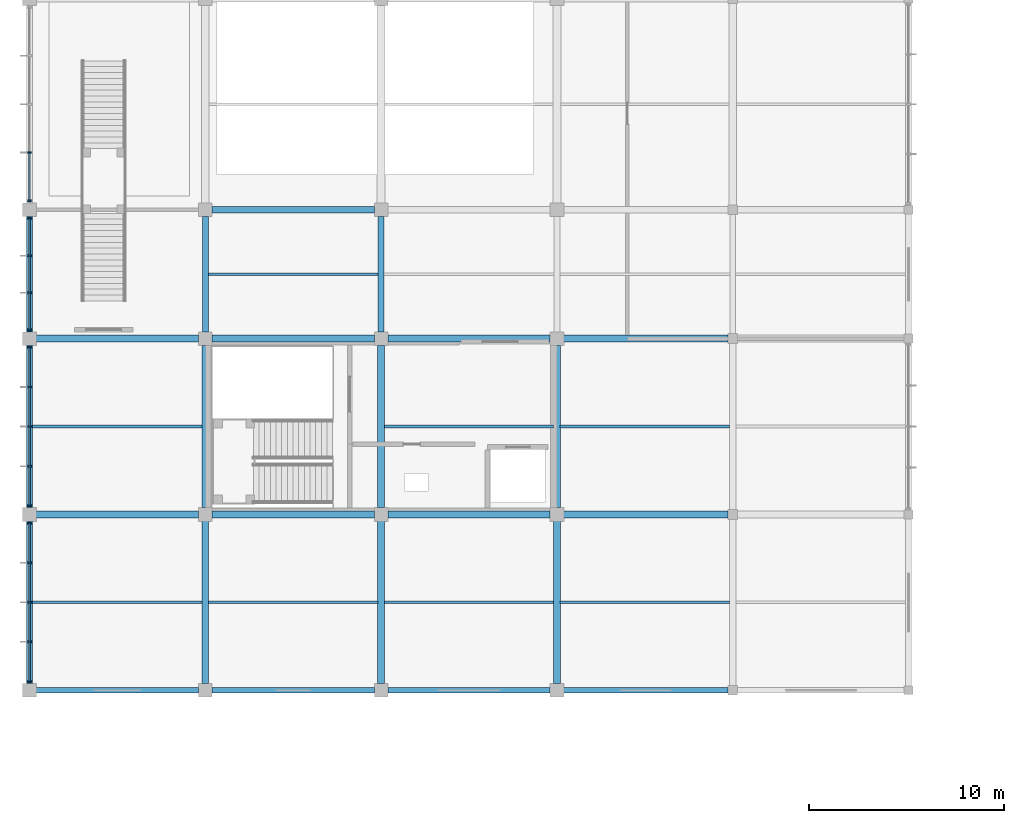
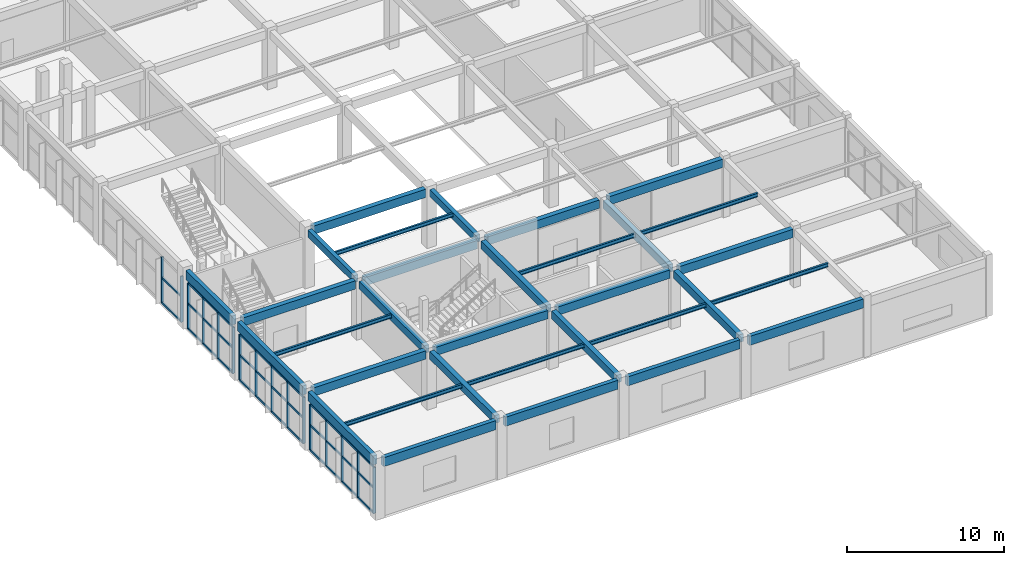
# One storey, part 13 of 74: 43 members, 32 beams, 4 elements without a shape of their own.
"""IFC4 building model written with IfcOpenShell, lengths in metres."""

from ifc_helpers import new_model, si_unit, direction, frame, origin, origin_2d, place, context, subcontext, project, spatial, rectangle, i_section, extrude, material, material_profile, profile_set, type_object, element, aggregate, save


model = new_model("IFC4")

# Units and contexts
model_context = context("Model", 3, precision=1e-05, world=origin(), true_north=direction((0.0, 1.0)))
body_context = subcontext(model_context, "Body", "Model", "MODEL_VIEW")
ifc_project = project(units=[si_unit("LENGTHUNIT", "METRE"), si_unit("AREAUNIT", "SQUARE_METRE"), si_unit("VOLUMEUNIT", "CUBIC_METRE"), si_unit("PLANEANGLEUNIT", "RADIAN"), si_unit("MASSUNIT", "GRAM", prefix="KILO")], contexts=[model_context])

# Site, building, storey
site_placement = place(None, origin())
site = spatial("IfcSite", under=ifc_project, at=site_placement, CompositionType="ELEMENT")
building_placement = place(site_placement, origin())
building = spatial("IfcBuilding", under=site, at=building_placement, Name="Suirenkawa Promenade Aquatics Centre", CompositionType="ELEMENT")
storey_placement = place(building_placement, frame((0.0, 0.0, 4.800048828125)))
storey = spatial("IfcBuildingStorey", under=building, at=storey_placement, Name="L01", CompositionType="ELEMENT", Elevation=4.800048828125)

# Beams
ifc_material_1 = material(Name="Steel IS 2062 E350 (Grade 350)", Category="steel")
ifc_material_profile_1 = material_profile(ifc_material_1, i_section(OverallWidth=0.139892578125, OverallDepth=0.300048828125, WebThickness=0.008056640625, FlangeThickness=0.012939453125, at=origin_2d()), Name="ISMB 300", Category="steel")
ifc_profile_set_1 = profile_set([ifc_material_profile_1], Name="Steel IS 2062 E350 (Grade 350)")
beam_type_1 = type_object("IfcBeamType", Name="BT-JOIST-ISMB300", PredefinedType="JOIST", material=ifc_profile_set_1)
for number, where, z_axis, x_axis, name in (
    (1, (0.14404296875, 8.699951171875, 4.387939453125), (1.0, 0.0, 0.0), (0.0, 1.0, 0.0), "Secondary floor joist JS-02 BM-0522"),
    (2, (0.14404296875, 17.699951171875, 4.387939453125), (1.0, 0.0, 0.0), (0.0, 1.0, 0.0), "Secondary floor joist JS-02 BM-0523"),
):
    element("IfcBeam", number, at=place(storey_placement, frame(where, z_axis=z_axis, x_axis=x_axis)), inside=storey, type_object=beam_type_1, Name=name, PredefinedType="JOIST", context=body_context, shape_type="SweptSolid", body=[
        extrude(i_section(OverallWidth=0.139892578125, OverallDepth=0.300048828125, WebThickness=0.008056640625, FlangeThickness=0.012939453125, at=origin_2d()), origin(), (0.0, 0.0, 1.0), 8.68701171875),
    ])
beam_1_placement = place(storey_placement, frame((9.1689453125, 8.699951171875, 4.387939453125), z_axis=(1.0, 0.0, 0.0), x_axis=(0.0, 1.0, 0.0)))
element("IfcBeam", 3, at=beam_1_placement, inside=storey, type_object=beam_type_1, Name="Secondary floor joist JS-02 BM-0532", PredefinedType="JOIST", context=body_context, shape_type="SweptSolid", body=[
    extrude(i_section(OverallWidth=0.139892578125, OverallDepth=0.300048828125, WebThickness=0.008056640625, FlangeThickness=0.012939453125, at=origin_2d()), origin(), (0.0, 0.0, 1.0), 8.662109375),
])
beam_2_placement = place(storey_placement, frame((9.14404296875, 25.5, 4.387939453125), z_axis=(1.0, 0.0, 0.0), x_axis=(0.0, 1.0, 0.0)))
element("IfcBeam", 4, at=beam_2_placement, inside=storey, type_object=beam_type_1, Name="Secondary floor joist JS-02 BM-0533", PredefinedType="JOIST", context=body_context, shape_type="SweptSolid", body=[
    extrude(i_section(OverallWidth=0.139892578125, OverallDepth=0.300048828125, WebThickness=0.008056640625, FlangeThickness=0.012939453125, at=origin_2d()), origin(), (0.0, 0.0, 1.0), 8.7119140625),
])
for number, where, z_axis, x_axis, name in (
    (5, (18.1689453125, 8.699951171875, 4.387939453125), (1.0, 0.0, 0.0), (0.0, 1.0, 0.0), "Secondary floor joist JS-02 BM-0542"),
    (6, (18.1689453125, 17.699951171875, 4.387939453125), (1.0, 0.0, 0.0), (0.0, 1.0, 0.0), "Secondary floor joist JS-02 BM-0543"),
    (7, (27.1689453125, 8.699951171875, 4.387939453125), (1.0, 0.0, 0.0), (0.0, 1.0, 0.0), "Secondary floor joist JS-02 BM-0554"),
    (8, (27.1689453125, 17.699951171875, 4.387939453125), (1.0, 0.0, 0.0), (0.0, 1.0, 0.0), "Secondary floor joist JS-02 BM-0555"),
):
    element("IfcBeam", number, at=place(storey_placement, frame(where, z_axis=z_axis, x_axis=x_axis)), inside=storey, type_object=beam_type_1, Name=name, PredefinedType="JOIST", context=body_context, shape_type="SweptSolid", body=[
        extrude(i_section(OverallWidth=0.139892578125, OverallDepth=0.300048828125, WebThickness=0.008056640625, FlangeThickness=0.012939453125, at=origin_2d()), origin(), (0.0, 0.0, 1.0), 8.662109375),
    ])
ifc_material_2 = material(Name="Concrete M35", Category="concrete")
ifc_material_profile_2 = material_profile(ifc_material_2, rectangle(XDim=0.300048828125, YDim=0.550048828125, at=origin_2d()), Name="RC BM 300x550", Category="concrete")
ifc_profile_set_2 = profile_set([ifc_material_profile_2], Name="Concrete M35")
beam_type_2 = type_object("IfcBeamType", Name="BT-RC-300x550", PredefinedType="BEAM", material=ifc_profile_set_2)
for number, where, z_axis, x_axis, name in (
    (9, (9.0, 22.5439453125, 4.264892578125), (0.0, 1.0, 0.0), (-1.0, 0.0, 0.0), "Floor beam BM-01 BM-0464"),
    (10, (18.0, 22.5439453125, 4.264892578125), (0.0, 1.0, 0.0), (-1.0, 0.0, 0.0), "Floor beam BM-01 BM-0476"),
):
    element("IfcBeam", number, at=place(storey_placement, frame(where, z_axis=z_axis, x_axis=x_axis)), inside=storey, type_object=beam_type_2, Name=name, PredefinedType="BEAM", context=body_context, shape_type="SweptSolid", body=[
        extrude(rectangle(XDim=0.300048828125, YDim=0.550048828125, at=origin_2d()), origin(), (0.0, 0.0, 1.0), 5.912109375),
    ])
ifc_material_profile_3 = material_profile(ifc_material_2, rectangle(XDim=0.35009765625, YDim=0.60009765625, at=origin_2d()), Name="RC BM 350x600", Category="concrete")
ifc_profile_set_3 = profile_set([ifc_material_profile_3], Name="Concrete M35")
beam_type_3 = type_object("IfcBeamType", Name="BT-RC-350x600", PredefinedType="BEAM", material=ifc_profile_set_3)
for number, where, z_axis, x_axis, name in (
    (11, (9.0, 4.5439453125, 4.239990234375), (0.0, 1.0, 0.0), (-1.0, 0.0, 0.0), "Floor beam BM-02 BM-0462"),
    (12, (9.0, 13.5439453125, 4.239990234375), (0.0, 1.0, 0.0), (-1.0, 0.0, 0.0), "Floor beam BM-02 BM-0463"),
    (13, (18.0, 4.5439453125, 4.239990234375), (0.0, 1.0, 0.0), (-1.0, 0.0, 0.0), "Floor beam BM-02 BM-0474"),
    (14, (18.0, 13.5439453125, 4.239990234375), (0.0, 1.0, 0.0), (-1.0, 0.0, 0.0), "Floor beam BM-02 BM-0475"),
    (15, (27.0, 4.5439453125, 4.239990234375), (0.0, 1.0, 0.0), (-1.0, 0.0, 0.0), "Floor beam BM-02 BM-0486"),
    (16, (27.0, 13.5439453125, 4.239990234375), (0.0, 1.0, 0.0), (-1.0, 0.0, 0.0), "Floor beam BM-02 BM-0487"),
):
    element("IfcBeam", number, at=place(storey_placement, frame(where, z_axis=z_axis, x_axis=x_axis)), inside=storey, type_object=beam_type_3, Name=name, PredefinedType="BEAM", context=body_context, shape_type="SweptSolid", body=[
        extrude(rectangle(XDim=0.35009765625, YDim=0.60009765625, at=origin_2d()), origin(), (0.0, 0.0, 1.0), 8.31201171875),
    ])
ifc_material_profile_4 = material_profile(ifc_material_2, rectangle(XDim=0.35009765625, YDim=0.64990234375, at=origin_2d()), Name="RC BM 350x650", Category="concrete")
ifc_profile_set_4 = profile_set([ifc_material_profile_4], Name="Concrete M35")
beam_type_4 = type_object("IfcBeamType", Name="BT-RC-350x650", PredefinedType="BEAM", material=ifc_profile_set_4)
for number, where, z_axis, x_axis, name in (
    (17, (0.343994140625, 13.199951171875, 4.21484375), (1.0, 0.0, 0.0), (0.0, 1.0, 0.0), "Floor beam BM-03 BM-0391"),
    (18, (9.343994140625, 13.199951171875, 4.21484375), (1.0, 0.0, 0.0), (0.0, 1.0, 0.0), "Floor beam BM-03 BM-0392"),
    (19, (18.343994140625, 13.199951171875, 4.21484375), (1.0, 0.0, 0.0), (0.0, 1.0, 0.0), "Floor beam BM-03 BM-0393"),
):
    element("IfcBeam", number, at=place(storey_placement, frame(where, z_axis=z_axis, x_axis=x_axis)), inside=storey, type_object=beam_type_4, Name=name, PredefinedType="BEAM", context=body_context, shape_type="SweptSolid", body=[
        extrude(rectangle(XDim=0.35009765625, YDim=0.64990234375, at=origin_2d()), origin(), (0.0, 0.0, 1.0), 8.31201171875),
    ])
beam_3_placement = place(storey_placement, frame((27.343994140625, 13.199951171875, 4.21484375), z_axis=(1.0, 0.0, 0.0), x_axis=(0.0, 1.0, 0.0)))
element("IfcBeam", 20, at=beam_3_placement, inside=storey, type_object=beam_type_4, Name="Floor beam BM-03 BM-0394", PredefinedType="BEAM", context=body_context, shape_type="SweptSolid", body=[
    extrude(rectangle(XDim=0.35009765625, YDim=0.64990234375, at=origin_2d()), origin(), (0.0, 0.0, 1.0), 8.412109375),
])
for number, where, z_axis, x_axis, name in (
    (21, (0.343994140625, 22.199951171875, 4.21484375), (1.0, 0.0, 0.0), (0.0, 1.0, 0.0), "Floor beam BM-03 BM-0396"),
    (22, (9.343994140625, 22.199951171875, 4.21484375), (1.0, 0.0, 0.0), (0.0, 1.0, 0.0), "Floor beam BM-03 BM-0397"),
    (23, (18.343994140625, 22.199951171875, 4.21484375), (1.0, 0.0, 0.0), (0.0, 1.0, 0.0), "Floor beam BM-03 BM-0398"),
):
    element("IfcBeam", number, at=place(storey_placement, frame(where, z_axis=z_axis, x_axis=x_axis)), inside=storey, type_object=beam_type_4, Name=name, PredefinedType="BEAM", context=body_context, shape_type="SweptSolid", body=[
        extrude(rectangle(XDim=0.35009765625, YDim=0.64990234375, at=origin_2d()), origin(), (0.0, 0.0, 1.0), 8.31201171875),
    ])
beam_4_placement = place(storey_placement, frame((27.343994140625, 22.199951171875, 4.21484375), z_axis=(1.0, 0.0, 0.0), x_axis=(0.0, 1.0, 0.0)))
element("IfcBeam", 24, at=beam_4_placement, inside=storey, type_object=beam_type_4, Name="Floor beam BM-03 BM-0399", PredefinedType="BEAM", context=body_context, shape_type="SweptSolid", body=[
    extrude(rectangle(XDim=0.35009765625, YDim=0.64990234375, at=origin_2d()), origin(), (0.0, 0.0, 1.0), 8.412109375),
])
beam_5_placement = place(storey_placement, frame((9.343994140625, 28.800048828125, 4.21484375), z_axis=(1.0, 0.0, 0.0), x_axis=(0.0, 1.0, 0.0)))
element("IfcBeam", 25, at=beam_5_placement, inside=storey, type_object=beam_type_4, Name="Floor beam BM-03 BM-0401", PredefinedType="BEAM", context=body_context, shape_type="SweptSolid", body=[
    extrude(rectangle(XDim=0.35009765625, YDim=0.64990234375, at=origin_2d()), origin(), (0.0, 0.0, 1.0), 8.31201171875),
])
ifc_material_3 = material(Name="Concrete M40", Category="concrete")
ifc_material_profile_5 = material_profile(ifc_material_3, rectangle(XDim=0.300048828125, YDim=0.699951171875, at=origin_2d()), Name="RC SPANDREL 300x700", Category="concrete")
ifc_profile_set_5 = profile_set([ifc_material_profile_5], Name="Concrete M40")
beam_type_5 = type_object("IfcBeamType", Name="BT-SPANDREL-300x700", PredefinedType="SPANDREL", material=ifc_profile_set_5)
for number, where, z_axis, x_axis, name in (
    (26, (0.343994140625, 4.199951171875, 4.18994140625), (1.0, 0.0, 0.0), (0.0, 1.0, 0.0), "Floor beam SP-01 BM-0386"),
    (27, (9.343994140625, 4.199951171875, 4.18994140625), (1.0, 0.0, 0.0), (0.0, 1.0, 0.0), "Floor beam SP-01 BM-0387"),
    (28, (18.343994140625, 4.199951171875, 4.18994140625), (1.0, 0.0, 0.0), (0.0, 1.0, 0.0), "Floor beam SP-01 BM-0388"),
):
    element("IfcBeam", number, at=place(storey_placement, frame(where, z_axis=z_axis, x_axis=x_axis)), inside=storey, type_object=beam_type_5, Name=name, PredefinedType="SPANDREL", context=body_context, shape_type="SweptSolid", body=[
        extrude(rectangle(XDim=0.300048828125, YDim=0.699951171875, at=origin_2d()), origin(), (0.0, 0.0, 1.0), 8.31201171875),
    ])
beam_6_placement = place(storey_placement, frame((27.343994140625, 4.199951171875, 4.18994140625), z_axis=(1.0, 0.0, 0.0), x_axis=(0.0, 1.0, 0.0)))
element("IfcBeam", 29, at=beam_6_placement, inside=storey, type_object=beam_type_5, Name="Floor beam SP-01 BM-0389", PredefinedType="SPANDREL", context=body_context, shape_type="SweptSolid", body=[
    extrude(rectangle(XDim=0.300048828125, YDim=0.699951171875, at=origin_2d()), origin(), (0.0, 0.0, 1.0), 8.412109375),
])
for number, where, z_axis, x_axis, name in (
    (30, (0.0, 4.5439453125, 4.18994140625), (0.0, 1.0, 0.0), (-1.0, 0.0, 0.0), "Floor beam SP-01 BM-0450"),
    (31, (0.0, 13.5439453125, 4.18994140625), (0.0, 1.0, 0.0), (-1.0, 0.0, 0.0), "Floor beam SP-01 BM-0451"),
):
    element("IfcBeam", number, at=place(storey_placement, frame(where, z_axis=z_axis, x_axis=x_axis)), inside=storey, type_object=beam_type_5, Name=name, PredefinedType="SPANDREL", context=body_context, shape_type="SweptSolid", body=[
        extrude(rectangle(XDim=0.300048828125, YDim=0.699951171875, at=origin_2d()), origin(), (0.0, 0.0, 1.0), 8.31201171875),
    ])
beam_7_placement = place(storey_placement, frame((0.0, 22.5439453125, 4.18994140625), z_axis=(0.0, 1.0, 0.0), x_axis=(-1.0, 0.0, 0.0)))
element("IfcBeam", 32, at=beam_7_placement, inside=storey, type_object=beam_type_5, Name="Floor beam SP-01 BM-0452", PredefinedType="SPANDREL", context=body_context, shape_type="SweptSolid", body=[
    extrude(rectangle(XDim=0.300048828125, YDim=0.699951171875, at=origin_2d()), origin(), (0.0, 0.0, 1.0), 5.912109375),
])

# Curtain wall, members
ifc_material_4 = material(Name="Anodised aluminium 6063-T6", Category="aluminium")
curtain_wall_type_1 = type_object("IfcCurtainWallType", Name="CWAT-V5WL01-49", PredefinedType="NOTDEFINED", material=ifc_material_4)
curtain_wall_1_placement = place(storey_placement, origin())
curtain_wall_1 = element("IfcCurtainWall", 33, at=curtain_wall_1_placement, inside=storey, type_object=curtain_wall_type_1, Name="Curtain wall CWA-49 CW-095", PredefinedType="NOTDEFINED")
ifc_material_profile_6 = material_profile(ifc_material_4, rectangle(XDim=0.094970703125, YDim=0.18994140625, at=origin_2d()), Name="ALU MULL 95x190", Category="aluminium")
ifc_profile_set_6 = profile_set([ifc_material_profile_6], Name="Anodised aluminium 6063-T6")
member_type_1 = type_object("IfcMemberType", Name="CWM-190x95", PredefinedType="MULLION", material=ifc_profile_set_6)
member_1_placement = place(storey_placement, frame((0.0, 4.64892578125, 0.0), z_axis=(0.0, 0.0, 1.0), x_axis=(0.0, 1.0, 0.0)))
member_1 = element("IfcMember", 34, at=member_1_placement, type_object=member_type_1, Name="Mullion ML-02 CWM-01884", PredefinedType="MULLION", context=body_context, shape_type="SweptSolid", body=[
    extrude(rectangle(XDim=0.094970703125, YDim=0.18994140625, at=origin_2d()), origin(), (0.0, 0.0, 1.0), 3.570068359375),
])
member_2_placement = place(storey_placement, frame((0.0, 6.674560546875, 0.0), z_axis=(0.0, 0.0, 1.0), x_axis=(0.0, 1.0, 0.0)))
member_2 = element("IfcMember", 35, at=member_2_placement, type_object=member_type_1, Name="Mullion ML-02 CWM-01885", PredefinedType="MULLION", context=body_context, shape_type="SweptSolid", body=[
    extrude(rectangle(XDim=0.094970703125, YDim=0.18994140625, at=origin_2d()), origin(), (0.0, 0.0, 1.0), 3.570068359375),
])
member_3_placement = place(storey_placement, frame((0.0, 8.699951171875, 0.0), z_axis=(0.0, 0.0, 1.0), x_axis=(0.0, 1.0, 0.0)))
member_3 = element("IfcMember", 36, at=member_3_placement, type_object=member_type_1, Name="Mullion ML-02 CWM-01886", PredefinedType="MULLION", context=body_context, shape_type="SweptSolid", body=[
    extrude(rectangle(XDim=0.094970703125, YDim=0.18994140625, at=origin_2d()), origin(), (0.0, 0.0, 1.0), 3.570068359375),
])
member_4_placement = place(storey_placement, frame((0.0, 10.7255859375, 0.0), z_axis=(0.0, 0.0, 1.0), x_axis=(0.0, 1.0, 0.0)))
member_4 = element("IfcMember", 37, at=member_4_placement, type_object=member_type_1, Name="Mullion ML-02 CWM-01887", PredefinedType="MULLION", context=body_context, shape_type="SweptSolid", body=[
    extrude(rectangle(XDim=0.094970703125, YDim=0.18994140625, at=origin_2d()), origin(), (0.0, 0.0, 1.0), 3.570068359375),
])
member_5_placement = place(storey_placement, frame((0.0, 12.7509765625, 0.0), z_axis=(0.0, 0.0, 1.0), x_axis=(0.0, 1.0, 0.0)))
member_5 = element("IfcMember", 38, at=member_5_placement, type_object=member_type_1, Name="Mullion ML-02 CWM-01888", PredefinedType="MULLION", context=body_context, shape_type="SweptSolid", body=[
    extrude(rectangle(XDim=0.094970703125, YDim=0.18994140625, at=origin_2d()), origin(), (0.0, 0.0, 1.0), 3.570068359375),
])

curtain_wall_2_placement = place(storey_placement, origin())
curtain_wall_2 = element("IfcCurtainWall", 39, at=curtain_wall_2_placement, inside=storey, type_object=curtain_wall_type_1, Name="Curtain wall CWA-49 CW-096", PredefinedType="NOTDEFINED")
member_6_placement = place(storey_placement, frame((0.0, 13.64892578125, 0.0), z_axis=(0.0, 0.0, 1.0), x_axis=(0.0, 1.0, 0.0)))
member_6 = element("IfcMember", 40, at=member_6_placement, type_object=member_type_1, Name="Mullion ML-02 CWM-01906", PredefinedType="MULLION", context=body_context, shape_type="SweptSolid", body=[
    extrude(rectangle(XDim=0.094970703125, YDim=0.18994140625, at=origin_2d()), origin(), (0.0, 0.0, 1.0), 3.570068359375),
])
member_7_placement = place(storey_placement, frame((0.0, 15.674560546875, 0.0), z_axis=(0.0, 0.0, 1.0), x_axis=(0.0, 1.0, 0.0)))
member_7 = element("IfcMember", 41, at=member_7_placement, type_object=member_type_1, Name="Mullion ML-02 CWM-01907", PredefinedType="MULLION", context=body_context, shape_type="SweptSolid", body=[
    extrude(rectangle(XDim=0.094970703125, YDim=0.18994140625, at=origin_2d()), origin(), (0.0, 0.0, 1.0), 3.570068359375),
])
member_8_placement = place(storey_placement, frame((0.0, 17.699951171875, 0.0), z_axis=(0.0, 0.0, 1.0), x_axis=(0.0, 1.0, 0.0)))
member_8 = element("IfcMember", 42, at=member_8_placement, type_object=member_type_1, Name="Mullion ML-02 CWM-01908", PredefinedType="MULLION", context=body_context, shape_type="SweptSolid", body=[
    extrude(rectangle(XDim=0.094970703125, YDim=0.18994140625, at=origin_2d()), origin(), (0.0, 0.0, 1.0), 3.570068359375),
])
member_9_placement = place(storey_placement, frame((0.0, 19.7255859375, 0.0), z_axis=(0.0, 0.0, 1.0), x_axis=(0.0, 1.0, 0.0)))
member_9 = element("IfcMember", 43, at=member_9_placement, type_object=member_type_1, Name="Mullion ML-02 CWM-01909", PredefinedType="MULLION", context=body_context, shape_type="SweptSolid", body=[
    extrude(rectangle(XDim=0.094970703125, YDim=0.18994140625, at=origin_2d()), origin(), (0.0, 0.0, 1.0), 3.570068359375),
])
member_10_placement = place(storey_placement, frame((0.0, 21.7509765625, 0.0), z_axis=(0.0, 0.0, 1.0), x_axis=(0.0, 1.0, 0.0)))
member_10 = element("IfcMember", 44, at=member_10_placement, type_object=member_type_1, Name="Mullion ML-02 CWM-01910", PredefinedType="MULLION", context=body_context, shape_type="SweptSolid", body=[
    extrude(rectangle(XDim=0.094970703125, YDim=0.18994140625, at=origin_2d()), origin(), (0.0, 0.0, 1.0), 3.570068359375),
])

curtain_wall_type_2 = type_object("IfcCurtainWallType", Name="CWAT-V5WL01-51", PredefinedType="NOTDEFINED", material=ifc_material_4)
curtain_wall_3_placement = place(storey_placement, origin())
curtain_wall_3 = element("IfcCurtainWall", 45, at=curtain_wall_3_placement, inside=storey, type_object=curtain_wall_type_2, Name="Curtain wall CWA-51 CW-098", PredefinedType="NOTDEFINED")
member_11_placement = place(storey_placement, frame((0.0, 22.64892578125, 0.0), z_axis=(0.0, 0.0, 1.0), x_axis=(0.0, 1.0, 0.0)))
member_11 = element("IfcMember", 46, at=member_11_placement, type_object=member_type_1, Name="Mullion ML-02 CWM-01950", PredefinedType="MULLION", context=body_context, shape_type="SweptSolid", body=[
    extrude(rectangle(XDim=0.094970703125, YDim=0.18994140625, at=origin_2d()), origin(), (0.0, 0.0, 1.0), 3.570068359375),
])
member_12_placement = place(storey_placement, frame((0.0, 24.549560546875, 0.0), z_axis=(0.0, 0.0, 1.0), x_axis=(0.0, 1.0, 0.0)))
member_12 = element("IfcMember", 47, at=member_12_placement, type_object=member_type_1, Name="Mullion ML-02 CWM-01951", PredefinedType="MULLION", context=body_context, shape_type="SweptSolid", body=[
    extrude(rectangle(XDim=0.094970703125, YDim=0.18994140625, at=origin_2d()), origin(), (0.0, 0.0, 1.0), 3.570068359375),
])
member_13_placement = place(storey_placement, frame((0.0, 26.450439453125, 0.0), z_axis=(0.0, 0.0, 1.0), x_axis=(0.0, 1.0, 0.0)))
member_13 = element("IfcMember", 48, at=member_13_placement, type_object=member_type_1, Name="Mullion ML-02 CWM-01952", PredefinedType="MULLION", context=body_context, shape_type="SweptSolid", body=[
    extrude(rectangle(XDim=0.094970703125, YDim=0.18994140625, at=origin_2d()), origin(), (0.0, 0.0, 1.0), 3.570068359375),
])
member_14_placement = place(storey_placement, frame((0.0, 28.35107421875, 0.0), z_axis=(0.0, 0.0, 1.0), x_axis=(0.0, 1.0, 0.0)))
member_14 = element("IfcMember", 49, at=member_14_placement, type_object=member_type_1, Name="Mullion ML-02 CWM-01953", PredefinedType="MULLION", context=body_context, shape_type="SweptSolid", body=[
    extrude(rectangle(XDim=0.094970703125, YDim=0.18994140625, at=origin_2d()), origin(), (0.0, 0.0, 1.0), 3.570068359375),
])

curtain_wall_type_3 = type_object("IfcCurtainWallType", Name="CWAT-V5WL01-52", PredefinedType="NOTDEFINED", material=ifc_material_4)
curtain_wall_4_placement = place(storey_placement, origin())
curtain_wall_4 = element("IfcCurtainWall", 50, at=curtain_wall_4_placement, inside=storey, type_object=curtain_wall_type_3, Name="Curtain wall CWA-52 CW-099", PredefinedType="NOTDEFINED")
member_15_placement = place(storey_placement, frame((0.0, 29.2490234375, 0.0), z_axis=(0.0, 0.0, 1.0), x_axis=(0.0, 1.0, 0.0)))
member_15 = element("IfcMember", 51, at=member_15_placement, type_object=member_type_1, Name="Mullion ML-02 CWM-01967", PredefinedType="MULLION", context=body_context, shape_type="SweptSolid", body=[
    extrude(rectangle(XDim=0.094970703125, YDim=0.18994140625, at=origin_2d()), origin(), (0.0, 0.0, 1.0), 3.570068359375),
])
member_16_placement = place(storey_placement, frame((0.0, 31.724609375, 0.0), z_axis=(0.0, 0.0, 1.0), x_axis=(0.0, 1.0, 0.0)))
member_16 = element("IfcMember", 52, at=member_16_placement, type_object=member_type_1, Name="Mullion ML-02 CWM-01968", PredefinedType="MULLION", context=body_context, shape_type="SweptSolid", body=[
    extrude(rectangle(XDim=0.094970703125, YDim=0.18994140625, at=origin_2d()), origin(), (0.0, 0.0, 1.0), 3.570068359375),
])

# Member
ifc_material_profile_7 = material_profile(ifc_material_4, rectangle(XDim=0.094970703125, YDim=0.14990234375, at=origin_2d()), Name="ALU TRAN 95x150", Category="aluminium")
ifc_profile_set_7 = profile_set([ifc_material_profile_7], Name="Anodised aluminium 6063-T6")
member_type_2 = type_object("IfcMemberType", Name="CWT-150x95", PredefinedType="USERDEFINED", material=ifc_profile_set_7)
member_17_placement = place(storey_placement, frame((0.0, 4.64892578125, 0.0), z_axis=(0.0, 1.0, 0.0), x_axis=(-1.0, 0.0, 0.0)))
member_17 = element("IfcMember", 53, at=member_17_placement, type_object=member_type_2, Name="Transom TR-02 CWT-01889", ObjectType="TRANSOM", PredefinedType="USERDEFINED", context=body_context, shape_type="SweptSolid", body=[
    extrude(rectangle(XDim=0.094970703125, YDim=0.14990234375, at=origin_2d()), origin(), (0.0, 0.0, 1.0), 2.025634765625),
])

member_18_placement = place(storey_placement, frame((0.0, 6.674560546875, 0.0), z_axis=(0.0, 1.0, 0.0), x_axis=(-1.0, 0.0, 0.0)))
member_18 = element("IfcMember", 54, at=member_18_placement, type_object=member_type_2, Name="Transom TR-02 CWT-01890", ObjectType="TRANSOM", PredefinedType="USERDEFINED", context=body_context, shape_type="SweptSolid", body=[
    extrude(rectangle(XDim=0.094970703125, YDim=0.14990234375, at=origin_2d()), origin(), (0.0, 0.0, 1.0), 2.025390625),
])

member_19_placement = place(storey_placement, frame((0.0, 8.699951171875, 0.0), z_axis=(0.0, 1.0, 0.0), x_axis=(-1.0, 0.0, 0.0)))
member_19 = element("IfcMember", 55, at=member_19_placement, type_object=member_type_2, Name="Transom TR-02 CWT-01891", ObjectType="TRANSOM", PredefinedType="USERDEFINED", context=body_context, shape_type="SweptSolid", body=[
    extrude(rectangle(XDim=0.094970703125, YDim=0.14990234375, at=origin_2d()), origin(), (0.0, 0.0, 1.0), 2.025634765625),
])

member_20_placement = place(storey_placement, frame((0.0, 10.7255859375, 0.0), z_axis=(0.0, 1.0, 0.0), x_axis=(-1.0, 0.0, 0.0)))
member_20 = element("IfcMember", 56, at=member_20_placement, type_object=member_type_2, Name="Transom TR-02 CWT-01892", ObjectType="TRANSOM", PredefinedType="USERDEFINED", context=body_context, shape_type="SweptSolid", body=[
    extrude(rectangle(XDim=0.094970703125, YDim=0.14990234375, at=origin_2d()), origin(), (0.0, 0.0, 1.0), 2.025390625),
])

member_21_placement = place(storey_placement, frame((0.0, 4.64892578125, 1.949951171875), z_axis=(0.0, 1.0, 0.0), x_axis=(-1.0, 0.0, 0.0)))
member_21 = element("IfcMember", 57, at=member_21_placement, type_object=member_type_2, Name="Transom TR-02 CWT-01893", ObjectType="TRANSOM", PredefinedType="USERDEFINED", context=body_context, shape_type="SweptSolid", body=[
    extrude(rectangle(XDim=0.094970703125, YDim=0.14990234375, at=origin_2d()), origin(), (0.0, 0.0, 1.0), 2.025634765625),
])

member_22_placement = place(storey_placement, frame((0.0, 6.674560546875, 1.949951171875), z_axis=(0.0, 1.0, 0.0), x_axis=(-1.0, 0.0, 0.0)))
member_22 = element("IfcMember", 58, at=member_22_placement, type_object=member_type_2, Name="Transom TR-02 CWT-01894", ObjectType="TRANSOM", PredefinedType="USERDEFINED", context=body_context, shape_type="SweptSolid", body=[
    extrude(rectangle(XDim=0.094970703125, YDim=0.14990234375, at=origin_2d()), origin(), (0.0, 0.0, 1.0), 2.025390625),
])

member_23_placement = place(storey_placement, frame((0.0, 8.699951171875, 1.949951171875), z_axis=(0.0, 1.0, 0.0), x_axis=(-1.0, 0.0, 0.0)))
member_23 = element("IfcMember", 59, at=member_23_placement, type_object=member_type_2, Name="Transom TR-02 CWT-01895", ObjectType="TRANSOM", PredefinedType="USERDEFINED", context=body_context, shape_type="SweptSolid", body=[
    extrude(rectangle(XDim=0.094970703125, YDim=0.14990234375, at=origin_2d()), origin(), (0.0, 0.0, 1.0), 2.025634765625),
])

member_24_placement = place(storey_placement, frame((0.0, 10.7255859375, 1.949951171875), z_axis=(0.0, 1.0, 0.0), x_axis=(-1.0, 0.0, 0.0)))
member_24 = element("IfcMember", 60, at=member_24_placement, type_object=member_type_2, Name="Transom TR-02 CWT-01896", ObjectType="TRANSOM", PredefinedType="USERDEFINED", context=body_context, shape_type="SweptSolid", body=[
    extrude(rectangle(XDim=0.094970703125, YDim=0.14990234375, at=origin_2d()), origin(), (0.0, 0.0, 1.0), 2.025390625),
])

member_25_placement = place(storey_placement, frame((0.0, 4.64892578125, 3.570068359375), z_axis=(0.0, 1.0, 0.0), x_axis=(-1.0, 0.0, 0.0)))
member_25 = element("IfcMember", 61, at=member_25_placement, type_object=member_type_2, Name="Roofline transom TR-02 CWT-01897", ObjectType="TRANSOM", PredefinedType="USERDEFINED", context=body_context, shape_type="SweptSolid", body=[
    extrude(rectangle(XDim=0.094970703125, YDim=0.14990234375, at=origin_2d()), origin(), (0.0, 0.0, 1.0), 8.10205078125),
])

aggregate(curtain_wall_1, [member_1, member_2, member_3, member_4, member_5, member_17, member_18, member_19, member_20, member_21, member_22, member_23, member_24, member_25])

member_26_placement = place(storey_placement, frame((0.0, 13.64892578125, 0.0), z_axis=(0.0, 1.0, 0.0), x_axis=(-1.0, 0.0, 0.0)))
member_26 = element("IfcMember", 62, at=member_26_placement, type_object=member_type_2, Name="Transom TR-02 CWT-01911", ObjectType="TRANSOM", PredefinedType="USERDEFINED", context=body_context, shape_type="SweptSolid", body=[
    extrude(rectangle(XDim=0.094970703125, YDim=0.14990234375, at=origin_2d()), origin(), (0.0, 0.0, 1.0), 2.025634765625),
])

member_27_placement = place(storey_placement, frame((0.0, 15.674560546875, 0.0), z_axis=(0.0, 1.0, 0.0), x_axis=(-1.0, 0.0, 0.0)))
member_27 = element("IfcMember", 63, at=member_27_placement, type_object=member_type_2, Name="Transom TR-02 CWT-01912", ObjectType="TRANSOM", PredefinedType="USERDEFINED", context=body_context, shape_type="SweptSolid", body=[
    extrude(rectangle(XDim=0.094970703125, YDim=0.14990234375, at=origin_2d()), origin(), (0.0, 0.0, 1.0), 2.025390625),
])

member_28_placement = place(storey_placement, frame((0.0, 17.699951171875, 0.0), z_axis=(0.0, 1.0, 0.0), x_axis=(-1.0, 0.0, 0.0)))
member_28 = element("IfcMember", 64, at=member_28_placement, type_object=member_type_2, Name="Transom TR-02 CWT-01913", ObjectType="TRANSOM", PredefinedType="USERDEFINED", context=body_context, shape_type="SweptSolid", body=[
    extrude(rectangle(XDim=0.094970703125, YDim=0.14990234375, at=origin_2d()), origin(), (0.0, 0.0, 1.0), 2.025634765625),
])

member_29_placement = place(storey_placement, frame((0.0, 19.7255859375, 0.0), z_axis=(0.0, 1.0, 0.0), x_axis=(-1.0, 0.0, 0.0)))
member_29 = element("IfcMember", 65, at=member_29_placement, type_object=member_type_2, Name="Transom TR-02 CWT-01914", ObjectType="TRANSOM", PredefinedType="USERDEFINED", context=body_context, shape_type="SweptSolid", body=[
    extrude(rectangle(XDim=0.094970703125, YDim=0.14990234375, at=origin_2d()), origin(), (0.0, 0.0, 1.0), 2.025390625),
])

member_30_placement = place(storey_placement, frame((0.0, 13.64892578125, 1.949951171875), z_axis=(0.0, 1.0, 0.0), x_axis=(-1.0, 0.0, 0.0)))
member_30 = element("IfcMember", 66, at=member_30_placement, type_object=member_type_2, Name="Transom TR-02 CWT-01915", ObjectType="TRANSOM", PredefinedType="USERDEFINED", context=body_context, shape_type="SweptSolid", body=[
    extrude(rectangle(XDim=0.094970703125, YDim=0.14990234375, at=origin_2d()), origin(), (0.0, 0.0, 1.0), 2.025634765625),
])

member_31_placement = place(storey_placement, frame((0.0, 15.674560546875, 1.949951171875), z_axis=(0.0, 1.0, 0.0), x_axis=(-1.0, 0.0, 0.0)))
member_31 = element("IfcMember", 67, at=member_31_placement, type_object=member_type_2, Name="Transom TR-02 CWT-01916", ObjectType="TRANSOM", PredefinedType="USERDEFINED", context=body_context, shape_type="SweptSolid", body=[
    extrude(rectangle(XDim=0.094970703125, YDim=0.14990234375, at=origin_2d()), origin(), (0.0, 0.0, 1.0), 2.025390625),
])

member_32_placement = place(storey_placement, frame((0.0, 17.699951171875, 1.949951171875), z_axis=(0.0, 1.0, 0.0), x_axis=(-1.0, 0.0, 0.0)))
member_32 = element("IfcMember", 68, at=member_32_placement, type_object=member_type_2, Name="Transom TR-02 CWT-01917", ObjectType="TRANSOM", PredefinedType="USERDEFINED", context=body_context, shape_type="SweptSolid", body=[
    extrude(rectangle(XDim=0.094970703125, YDim=0.14990234375, at=origin_2d()), origin(), (0.0, 0.0, 1.0), 2.025634765625),
])

member_33_placement = place(storey_placement, frame((0.0, 19.7255859375, 1.949951171875), z_axis=(0.0, 1.0, 0.0), x_axis=(-1.0, 0.0, 0.0)))
member_33 = element("IfcMember", 69, at=member_33_placement, type_object=member_type_2, Name="Transom TR-02 CWT-01918", ObjectType="TRANSOM", PredefinedType="USERDEFINED", context=body_context, shape_type="SweptSolid", body=[
    extrude(rectangle(XDim=0.094970703125, YDim=0.14990234375, at=origin_2d()), origin(), (0.0, 0.0, 1.0), 2.025390625),
])

member_34_placement = place(storey_placement, frame((0.0, 13.64892578125, 3.570068359375), z_axis=(0.0, 1.0, 0.0), x_axis=(-1.0, 0.0, 0.0)))
member_34 = element("IfcMember", 70, at=member_34_placement, type_object=member_type_2, Name="Roofline transom TR-02 CWT-01919", ObjectType="TRANSOM", PredefinedType="USERDEFINED", context=body_context, shape_type="SweptSolid", body=[
    extrude(rectangle(XDim=0.094970703125, YDim=0.14990234375, at=origin_2d()), origin(), (0.0, 0.0, 1.0), 8.10205078125),
])

aggregate(curtain_wall_2, [member_6, member_7, member_8, member_9, member_10, member_26, member_27, member_28, member_29, member_30, member_31, member_32, member_33, member_34])

member_35_placement = place(storey_placement, frame((0.0, 22.64892578125, 0.0), z_axis=(0.0, 1.0, 0.0), x_axis=(-1.0, 0.0, 0.0)))
member_35 = element("IfcMember", 71, at=member_35_placement, type_object=member_type_2, Name="Transom TR-02 CWT-01954", ObjectType="TRANSOM", PredefinedType="USERDEFINED", context=body_context, shape_type="SweptSolid", body=[
    extrude(rectangle(XDim=0.094970703125, YDim=0.14990234375, at=origin_2d()), origin(), (0.0, 0.0, 1.0), 1.900634765625),
])

member_36_placement = place(storey_placement, frame((0.0, 24.549560546875, 0.0), z_axis=(0.0, 1.0, 0.0), x_axis=(-1.0, 0.0, 0.0)))
member_36 = element("IfcMember", 72, at=member_36_placement, type_object=member_type_2, Name="Transom TR-02 CWT-01955", ObjectType="TRANSOM", PredefinedType="USERDEFINED", context=body_context, shape_type="SweptSolid", body=[
    extrude(rectangle(XDim=0.094970703125, YDim=0.14990234375, at=origin_2d()), origin(), (0.0, 0.0, 1.0), 1.90087890625),
])

member_37_placement = place(storey_placement, frame((0.0, 26.450439453125, 0.0), z_axis=(0.0, 1.0, 0.0), x_axis=(-1.0, 0.0, 0.0)))
member_37 = element("IfcMember", 73, at=member_37_placement, type_object=member_type_2, Name="Transom TR-02 CWT-01956", ObjectType="TRANSOM", PredefinedType="USERDEFINED", context=body_context, shape_type="SweptSolid", body=[
    extrude(rectangle(XDim=0.094970703125, YDim=0.14990234375, at=origin_2d()), origin(), (0.0, 0.0, 1.0), 1.900634765625),
])

member_38_placement = place(storey_placement, frame((0.0, 22.64892578125, 1.949951171875), z_axis=(0.0, 1.0, 0.0), x_axis=(-1.0, 0.0, 0.0)))
member_38 = element("IfcMember", 74, at=member_38_placement, type_object=member_type_2, Name="Transom TR-02 CWT-01957", ObjectType="TRANSOM", PredefinedType="USERDEFINED", context=body_context, shape_type="SweptSolid", body=[
    extrude(rectangle(XDim=0.094970703125, YDim=0.14990234375, at=origin_2d()), origin(), (0.0, 0.0, 1.0), 1.900634765625),
])

member_39_placement = place(storey_placement, frame((0.0, 24.549560546875, 1.949951171875), z_axis=(0.0, 1.0, 0.0), x_axis=(-1.0, 0.0, 0.0)))
member_39 = element("IfcMember", 75, at=member_39_placement, type_object=member_type_2, Name="Transom TR-02 CWT-01958", ObjectType="TRANSOM", PredefinedType="USERDEFINED", context=body_context, shape_type="SweptSolid", body=[
    extrude(rectangle(XDim=0.094970703125, YDim=0.14990234375, at=origin_2d()), origin(), (0.0, 0.0, 1.0), 1.90087890625),
])

member_40_placement = place(storey_placement, frame((0.0, 26.450439453125, 1.949951171875), z_axis=(0.0, 1.0, 0.0), x_axis=(-1.0, 0.0, 0.0)))
member_40 = element("IfcMember", 76, at=member_40_placement, type_object=member_type_2, Name="Transom TR-02 CWT-01959", ObjectType="TRANSOM", PredefinedType="USERDEFINED", context=body_context, shape_type="SweptSolid", body=[
    extrude(rectangle(XDim=0.094970703125, YDim=0.14990234375, at=origin_2d()), origin(), (0.0, 0.0, 1.0), 1.900634765625),
])

member_41_placement = place(storey_placement, frame((0.0, 22.64892578125, 3.570068359375), z_axis=(0.0, 1.0, 0.0), x_axis=(-1.0, 0.0, 0.0)))
member_41 = element("IfcMember", 77, at=member_41_placement, type_object=member_type_2, Name="Roofline transom TR-02 CWT-01960", ObjectType="TRANSOM", PredefinedType="USERDEFINED", context=body_context, shape_type="SweptSolid", body=[
    extrude(rectangle(XDim=0.094970703125, YDim=0.14990234375, at=origin_2d()), origin(), (0.0, 0.0, 1.0), 5.7021484375),
])

aggregate(curtain_wall_3, [member_11, member_12, member_13, member_14, member_35, member_36, member_37, member_38, member_39, member_40, member_41])

member_42_placement = place(storey_placement, frame((0.0, 29.2490234375, 0.0), z_axis=(0.0, 1.0, 0.0), x_axis=(-1.0, 0.0, 0.0)))
member_42 = element("IfcMember", 78, at=member_42_placement, type_object=member_type_2, Name="Transom TR-02 CWT-01972", ObjectType="TRANSOM", PredefinedType="USERDEFINED", context=body_context, shape_type="SweptSolid", body=[
    extrude(rectangle(XDim=0.094970703125, YDim=0.14990234375, at=origin_2d()), origin(), (0.0, 0.0, 1.0), 2.4755859375),
])

member_43_placement = place(storey_placement, frame((0.0, 29.2490234375, 1.949951171875), z_axis=(0.0, 1.0, 0.0), x_axis=(-1.0, 0.0, 0.0)))
member_43 = element("IfcMember", 79, at=member_43_placement, type_object=member_type_2, Name="Transom TR-02 CWT-01976", ObjectType="TRANSOM", PredefinedType="USERDEFINED", context=body_context, shape_type="SweptSolid", body=[
    extrude(rectangle(XDim=0.094970703125, YDim=0.14990234375, at=origin_2d()), origin(), (0.0, 0.0, 1.0), 2.4755859375),
])

aggregate(curtain_wall_4, [member_15, member_16, member_42, member_43])

save(model, "model.ifc")
